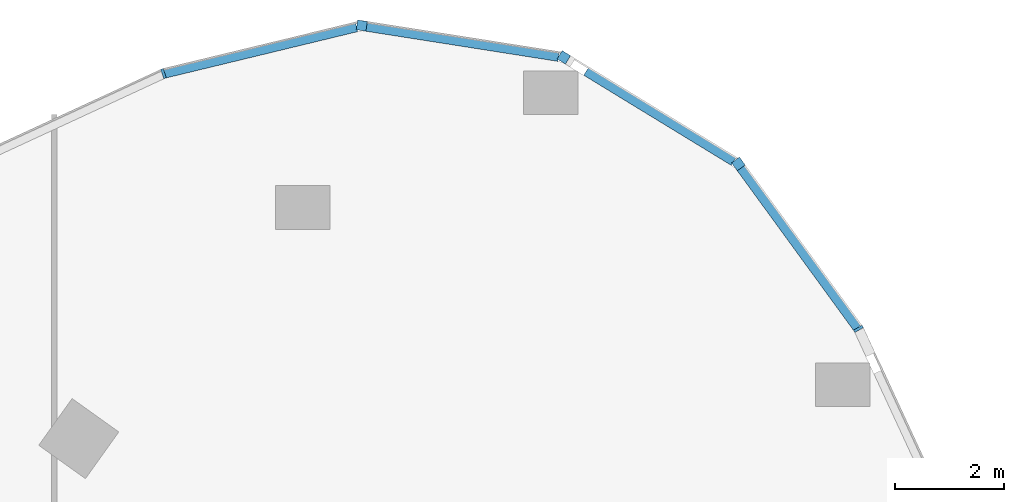
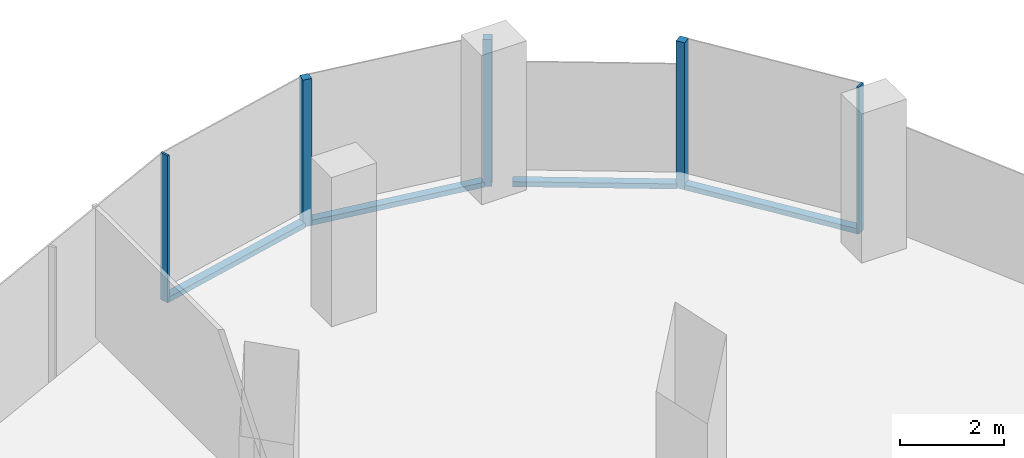
# One storey, part 13 of 24: 9 members, 5 elements without a shape of their own.
"""IFC4 building model written with IfcOpenShell, lengths in metres."""

from ifc_helpers import new_model, si_unit, direction, frame, origin, origin_2d, place, context, subcontext, project, spatial, rectangle, extrude, material, material_profile, profile_set, type_object, element, aggregate, save


model = new_model("IFC4")

# Units and contexts
model_context = context("Model", 3, precision=1e-05, world=origin(), true_north=direction((0.0, 1.0)))
body_context = subcontext(model_context, "Body", "Model", "MODEL_VIEW")
ifc_project = project(units=[si_unit("LENGTHUNIT", "METRE"), si_unit("AREAUNIT", "SQUARE_METRE"), si_unit("VOLUMEUNIT", "CUBIC_METRE"), si_unit("PLANEANGLEUNIT", "RADIAN"), si_unit("MASSUNIT", "GRAM", prefix="KILO")], contexts=[model_context])

# Site, building, storey
site_placement = place(None, origin())
site = spatial("IfcSite", under=ifc_project, at=site_placement, CompositionType="ELEMENT")
building_placement = place(site_placement, origin())
building = spatial("IfcBuilding", under=site, at=building_placement, Name="Orlundy Tower", CompositionType="ELEMENT")
storey_placement = place(building_placement, frame((0.0, 0.0, 267.5)))
storey = spatial("IfcBuildingStorey", under=building, at=storey_placement, Name="L71", CompositionType="ELEMENT", Elevation=267.5)

# Curtain wall, member
ifc_material_1 = material(Name="Aluminium bronze anodised", Category="aluminium")
curtain_wall_type = type_object("IfcCurtainWallType", Name="CW1 wall", PredefinedType="NOTDEFINED", material=ifc_material_1)
curtain_wall_1_placement = place(storey_placement, origin())
curtain_wall_1 = element("IfcCurtainWall", 1, at=curtain_wall_1_placement, inside=storey, type_object=curtain_wall_type, Name="CW1 run 12", PredefinedType="NOTDEFINED")
ifc_material_2 = material(Name="Aluminium bronze anodised", Category="aluminium")
ifc_material_profile_1 = material_profile(ifc_material_2, rectangle(XDim=0.179931640625, YDim=0.179931640625, at=origin_2d()), Name="CW1 corner post 180x180")
ifc_profile_set_1 = profile_set([ifc_material_profile_1], Name="Aluminium bronze anodised")
member_type_1 = type_object("IfcMemberType", Name="CW1 corner post 180x180", PredefinedType="MULLION", material=ifc_profile_set_1)
member_1_placement = place(storey_placement, frame((22.42529296875, 31.712646484375, -0.39990234375), z_axis=(0.0, 0.0, 1.0), x_axis=(0.15511748157, 0.987896030416, 0.0)))
member_1 = element("IfcMember", 2, at=member_1_placement, type_object=member_type_1, Name="CW1 mullion 4", PredefinedType="MULLION", context=body_context, shape_type="SweptSolid", body=[
    extrude(rectangle(XDim=0.179931640625, YDim=0.179931640625, at=origin_2d()), origin(), (0.0, 0.0, 1.0), 3.449951171875),
])

curtain_wall_2_placement = place(storey_placement, origin())
curtain_wall_2 = element("IfcCurtainWall", 3, at=curtain_wall_2_placement, inside=storey, type_object=curtain_wall_type, Name="CW1 run 13", PredefinedType="NOTDEFINED")
member_2_placement = place(storey_placement, frame((26.12255859375, 31.132080078125, -0.39990234375), z_axis=(0.0, 0.0, 1.0), x_axis=(0.521144468768, 0.853468477843, 0.0)))
member_2 = element("IfcMember", 4, at=member_2_placement, type_object=member_type_1, Name="CW1 mullion 5", PredefinedType="MULLION", context=body_context, shape_type="SweptSolid", body=[
    extrude(rectangle(XDim=0.179931640625, YDim=0.179931640625, at=origin_2d()), origin(), (0.0, 0.0, 1.0), 3.449951171875),
])

curtain_wall_3_placement = place(storey_placement, origin())
curtain_wall_3 = element("IfcCurtainWall", 5, at=curtain_wall_3_placement, inside=storey, type_object=curtain_wall_type, Name="CW1 run 14", PredefinedType="NOTDEFINED")
member_3_placement = place(storey_placement, frame((29.317138671875, 29.181396484375, -0.39990234375), z_axis=(0.0, 0.0, 1.0), x_axis=(0.80821081742, 0.588893262489, 0.0)))
member_3 = element("IfcMember", 6, at=member_3_placement, type_object=member_type_1, Name="CW1 mullion 6", PredefinedType="MULLION", context=body_context, shape_type="SweptSolid", body=[
    extrude(rectangle(XDim=0.179931640625, YDim=0.179931640625, at=origin_2d()), origin(), (0.0, 0.0, 1.0), 3.449951171875),
])

curtain_wall_4_placement = place(storey_placement, origin())
curtain_wall_4 = element("IfcCurtainWall", 7, at=curtain_wall_4_placement, inside=storey, type_object=curtain_wall_type, Name="CW1 run 11", PredefinedType="NOTDEFINED")
ifc_material_3 = material(Name="Aluminium bronze anodised", Category="aluminium")
ifc_material_profile_2 = material_profile(ifc_material_3, rectangle(XDim=0.179931640625, YDim=0.050048828125, at=origin_2d()), Name="CW1 mullion 50x180")
ifc_profile_set_2 = profile_set([ifc_material_profile_2], Name="Aluminium bronze anodised")
member_type_2 = type_object("IfcMemberType", Name="CW1 mullion 50x180", PredefinedType="MULLION", material=ifc_profile_set_2)
member_4_placement = place(storey_placement, frame((18.796142578125, 30.83544921875, -0.39990234375), z_axis=(0.0, 0.0, 1.0), x_axis=(-0.329057666512, 0.944309828451, 0.0)))
member_4 = element("IfcMember", 8, at=member_4_placement, type_object=member_type_2, Name="CW1 mullion 3", PredefinedType="MULLION", context=body_context, shape_type="SweptSolid", body=[
    extrude(rectangle(XDim=0.179931640625, YDim=0.050048828125, at=origin_2d()), origin(), (0.0, 0.0, 1.0), 3.449951171875),
])

curtain_wall_5_placement = place(storey_placement, origin())
curtain_wall_5 = element("IfcCurtainWall", 9, at=curtain_wall_5_placement, inside=storey, type_object=curtain_wall_type, Name="CW1 run 15", PredefinedType="NOTDEFINED")
member_5_placement = place(storey_placement, frame((31.515869140625, 26.163818359375, -0.39990234375), z_axis=(0.0, 0.0, 1.0), x_axis=(0.862024734365, 0.50686621247, 0.0)))
member_5 = element("IfcMember", 10, at=member_5_placement, type_object=member_type_2, Name="CW1 mullion 7", PredefinedType="MULLION", context=body_context, shape_type="SweptSolid", body=[
    extrude(rectangle(XDim=0.179931640625, YDim=0.050048828125, at=origin_2d()), origin(), (0.0, 0.0, 1.0), 3.449951171875),
])
aggregate(curtain_wall_5, [member_5])

# Member
ifc_material_4 = material(Name="Aluminium bronze anodised", Category="aluminium")
ifc_material_profile_3 = material_profile(ifc_material_4, rectangle(XDim=0.179931640625, YDim=0.1201171875, at=origin_2d()), Name="CW1 transom 180x120")
ifc_profile_set_3 = profile_set([ifc_material_profile_3], Name="Aluminium bronze anodised")
member_type_3 = type_object("IfcMemberType", Name="CW1 transom 180x120", PredefinedType="USERDEFINED", material=ifc_profile_set_3)
member_6_placement = place(storey_placement, frame((18.820556640625, 30.84130859375, -0.340087890625), z_axis=(0.972009843916, 0.23494012712, 0.0), x_axis=(-0.23494012712, 0.972009843916, 0.0)))
member_6 = element("IfcMember", 11, at=member_6_placement, type_object=member_type_3, Name="CW1 transom", ObjectType="TRANSOM", PredefinedType="USERDEFINED", context=body_context, shape_type="SweptSolid", body=[
    extrude(rectangle(XDim=0.179931640625, YDim=0.1201171875, at=origin_2d()), origin(), (0.0, 0.0, 1.0), 3.611083984375),
])

aggregate(curtain_wall_4, [member_4, member_6])

member_7_placement = place(storey_placement, frame((22.51416015625, 31.69873046875, -0.340087890625), z_axis=(0.987894570591, -0.155126778463, 0.0), x_axis=(0.155126778463, 0.987894570591, 0.0)))
member_7 = element("IfcMember", 12, at=member_7_placement, type_object=member_type_3, Name="CW1 transom", ObjectType="TRANSOM", PredefinedType="USERDEFINED", context=body_context, shape_type="SweptSolid", body=[
    extrude(rectangle(XDim=0.179931640625, YDim=0.1201171875, at=origin_2d()), origin(), (0.0, 0.0, 1.0), 3.55517578125),
])

aggregate(curtain_wall_1, [member_1, member_7])

member_8_placement = place(storey_placement, frame((26.534912109375, 30.88037109375, -0.340087890625), z_axis=(0.85346878169, -0.521143971164, 0.0), x_axis=(0.521143971164, 0.85346878169, 0.0)))
member_8 = element("IfcMember", 13, at=member_8_placement, type_object=member_type_3, Name="CW1 transom", ObjectType="TRANSOM", PredefinedType="USERDEFINED", context=body_context, shape_type="SweptSolid", body=[
    extrude(rectangle(XDim=0.179931640625, YDim=0.1201171875, at=origin_2d()), origin(), (0.0, 0.0, 1.0), 3.16259765625),
])

aggregate(curtain_wall_2, [member_2, member_8])

member_9_placement = place(storey_placement, frame((29.3701171875, 29.108642578125, -0.340087890625), z_axis=(0.588921607505, -0.808190163398, 0.0), x_axis=(0.808190163398, 0.588921607505, 0.0)))
member_9 = element("IfcMember", 14, at=member_9_placement, type_object=member_type_3, Name="CW1 transom", ObjectType="TRANSOM", PredefinedType="USERDEFINED", context=body_context, shape_type="SweptSolid", body=[
    extrude(rectangle(XDim=0.179931640625, YDim=0.1201171875, at=origin_2d()), origin(), (0.0, 0.0, 1.0), 3.61865234375),
])

aggregate(curtain_wall_3, [member_3, member_9])

save(model, "model.ifc")
